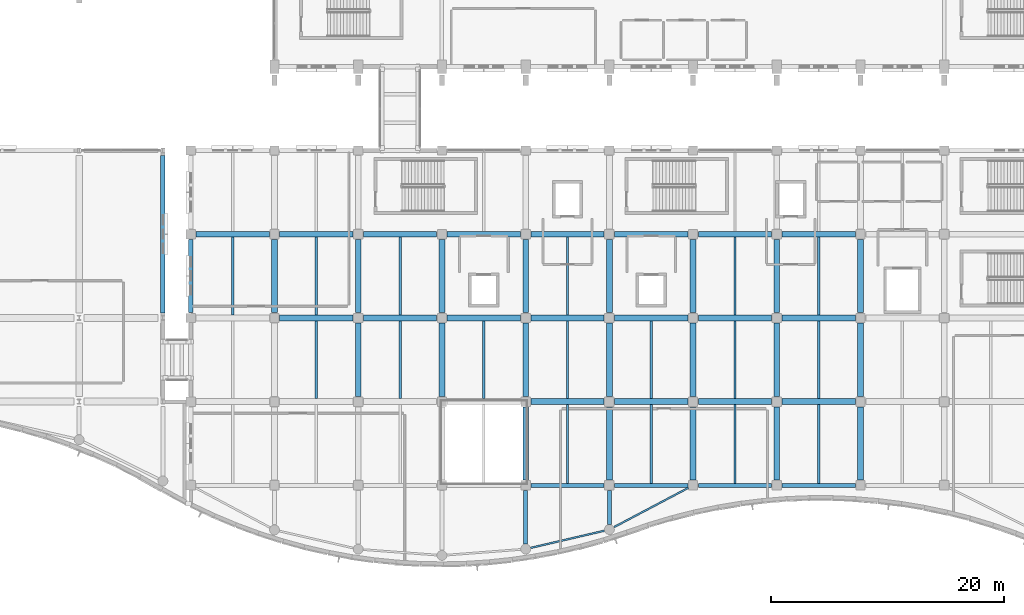
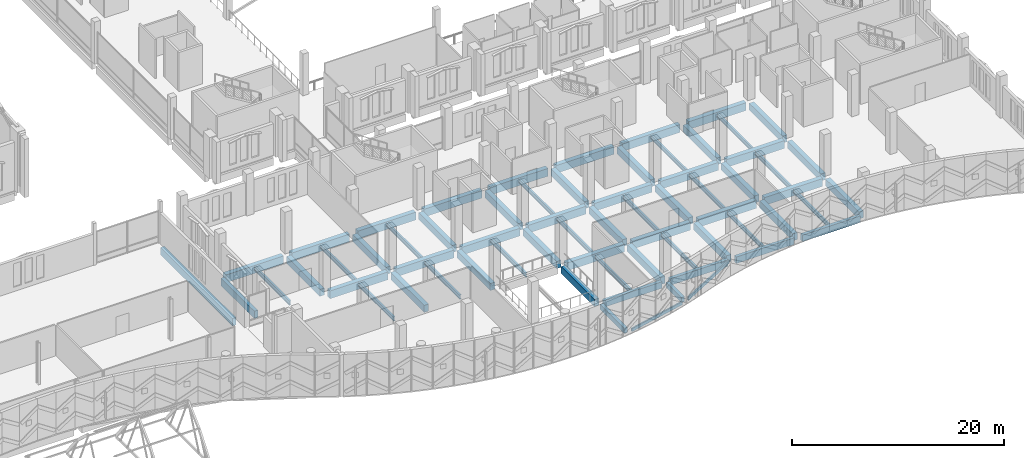
# One storey, part 83 of 220: 66 beams.
"""IFC4 building model written with IfcOpenShell, lengths in metres."""

from ifc_helpers import new_model, si_unit, direction, frame, origin, origin_2d, place, context, subcontext, project, spatial, rectangle, hollow_rectangle, i_section, extrude, material, material_profile, profile_set, type_object, element, save


model = new_model("IFC4")

# Units and contexts
model_context = context("Model", 3, precision=1e-05, world=origin(), true_north=direction((0.0, 1.0)))
body_context = subcontext(model_context, "Body", "Model", "MODEL_VIEW")
ifc_project = project(units=[si_unit("LENGTHUNIT", "METRE"), si_unit("AREAUNIT", "SQUARE_METRE"), si_unit("VOLUMEUNIT", "CUBIC_METRE"), si_unit("PLANEANGLEUNIT", "RADIAN"), si_unit("MASSUNIT", "GRAM", prefix="KILO")], contexts=[model_context])

# Site, building, storey
site_placement = place(None, origin())
site = spatial("IfcSite", under=ifc_project, at=site_placement, CompositionType="ELEMENT")
building_placement = place(site_placement, origin())
building = spatial("IfcBuilding", under=site, at=building_placement, Name="Cendralis Lancet Convention Centre", CompositionType="ELEMENT")
storey_placement = place(building_placement, frame((0.0, 0.0, 5.39990234375)))
storey = spatial("IfcBuildingStorey", under=building, at=storey_placement, Name="L01", CompositionType="ELEMENT", Elevation=5.39990234375)

# Beams
ifc_material_1 = material(Name="Concrete G35 (C35/45)", Category="concrete")
ifc_material_profile_1 = material_profile(ifc_material_1, rectangle(XDim=0.5, YDim=0.89990234375, at=origin_2d()), Name="RCB 500x900")
ifc_profile_set_1 = profile_set([ifc_material_profile_1], Name="Concrete G35 (C35/45)")
beam_type_1 = type_object("IfcBeamType", Name="STR-BM-BG07", PredefinedType="BEAM", material=ifc_profile_set_1)
for number, where, z_axis, x_axis, name in (
    (1, (161.25, 14.39990234375, -0.72998046875), (1.0, 0.0, 0.0), (0.0, 1.0, 0.0), "L01 Beam BG07 #0141"),
    (2, (168.449951171875, 14.39990234375, -0.72998046875), (1.0, 0.0, 0.0), (0.0, 1.0, 0.0), "L01 Beam BG07 #0142"),
    (3, (175.64990234375, 14.39990234375, -0.72998046875), (1.0, 0.0, 0.0), (0.0, 1.0, 0.0), "L01 Beam BG07 #0143"),
):
    element("IfcBeam", number, at=place(storey_placement, frame(where, z_axis=z_axis, x_axis=x_axis)), inside=storey, type_object=beam_type_1, Name=name, PredefinedType="BEAM", context=body_context, shape_type="SweptSolid", body=[
        extrude(rectangle(XDim=0.5, YDim=0.89990234375, at=origin_2d()), origin(), (0.0, 0.0, 1.0), 6.300048828125),
    ])
beam_1_placement = place(storey_placement, frame((182.85009765625, 14.39990234375, -0.72998046875), z_axis=(1.0, 0.0, 0.0), x_axis=(0.0, 1.0, 0.0)))
element("IfcBeam", 4, at=beam_1_placement, inside=storey, type_object=beam_type_1, Name="L01 Beam BG07 #0144", PredefinedType="BEAM", context=body_context, shape_type="SweptSolid", body=[
    extrude(rectangle(XDim=0.5, YDim=0.89990234375, at=origin_2d()), origin(), (0.0, 0.0, 1.0), 6.2998046875),
])
beam_2_placement = place(storey_placement, frame((139.64990234375, 21.60009765625, -0.72998046875), z_axis=(1.0, 0.0, 0.0), x_axis=(0.0, 1.0, 0.0)))
element("IfcBeam", 5, at=beam_2_placement, inside=storey, type_object=beam_type_1, Name="L01 Beam BG07 #0148", PredefinedType="BEAM", context=body_context, shape_type="SweptSolid", body=[
    extrude(rectangle(XDim=0.5, YDim=0.89990234375, at=origin_2d()), origin(), (0.0, 0.0, 1.0), 6.300048828125),
])
beam_3_placement = place(storey_placement, frame((146.85009765625, 21.60009765625, -0.72998046875), z_axis=(1.0, 0.0, 0.0), x_axis=(0.0, 1.0, 0.0)))
element("IfcBeam", 6, at=beam_3_placement, inside=storey, type_object=beam_type_1, Name="L01 Beam BG07 #0149", PredefinedType="BEAM", context=body_context, shape_type="SweptSolid", body=[
    extrude(rectangle(XDim=0.5, YDim=0.89990234375, at=origin_2d()), origin(), (0.0, 0.0, 1.0), 6.2998046875),
])
for number, where, z_axis, x_axis, name in (
    (7, (154.050048828125, 21.60009765625, -0.72998046875), (1.0, 0.0, 0.0), (0.0, 1.0, 0.0), "L01 Beam BG07 #0150"),
    (8, (161.25, 21.60009765625, -0.72998046875), (1.0, 0.0, 0.0), (0.0, 1.0, 0.0), "L01 Beam BG07 #0151"),
    (9, (168.449951171875, 21.60009765625, -0.72998046875), (1.0, 0.0, 0.0), (0.0, 1.0, 0.0), "L01 Beam BG07 #0152"),
    (10, (175.64990234375, 21.60009765625, -0.72998046875), (1.0, 0.0, 0.0), (0.0, 1.0, 0.0), "L01 Beam BG07 #0153"),
):
    element("IfcBeam", number, at=place(storey_placement, frame(where, z_axis=z_axis, x_axis=x_axis)), inside=storey, type_object=beam_type_1, Name=name, PredefinedType="BEAM", context=body_context, shape_type="SweptSolid", body=[
        extrude(rectangle(XDim=0.5, YDim=0.89990234375, at=origin_2d()), origin(), (0.0, 0.0, 1.0), 6.300048828125),
    ])
beam_4_placement = place(storey_placement, frame((182.85009765625, 21.60009765625, -0.72998046875), z_axis=(1.0, 0.0, 0.0), x_axis=(0.0, 1.0, 0.0)))
element("IfcBeam", 11, at=beam_4_placement, inside=storey, type_object=beam_type_1, Name="L01 Beam BG07 #0154", PredefinedType="BEAM", context=body_context, shape_type="SweptSolid", body=[
    extrude(rectangle(XDim=0.5, YDim=0.89990234375, at=origin_2d()), origin(), (0.0, 0.0, 1.0), 6.2998046875),
])
for number, where, z_axis, x_axis, name in (
    (12, (132.449951171875, 28.800048828125, -0.72998046875), (1.0, 0.0, 0.0), (0.0, 1.0, 0.0), "L01 Beam BG07 #0157"),
    (13, (139.64990234375, 28.800048828125, -0.72998046875), (1.0, 0.0, 0.0), (0.0, 1.0, 0.0), "L01 Beam BG07 #0158"),
):
    element("IfcBeam", number, at=place(storey_placement, frame(where, z_axis=z_axis, x_axis=x_axis)), inside=storey, type_object=beam_type_1, Name=name, PredefinedType="BEAM", context=body_context, shape_type="SweptSolid", body=[
        extrude(rectangle(XDim=0.5, YDim=0.89990234375, at=origin_2d()), origin(), (0.0, 0.0, 1.0), 6.300048828125),
    ])
beam_5_placement = place(storey_placement, frame((146.85009765625, 28.800048828125, -0.72998046875), z_axis=(1.0, 0.0, 0.0), x_axis=(0.0, 1.0, 0.0)))
element("IfcBeam", 14, at=beam_5_placement, inside=storey, type_object=beam_type_1, Name="L01 Beam BG07 #0159", PredefinedType="BEAM", context=body_context, shape_type="SweptSolid", body=[
    extrude(rectangle(XDim=0.5, YDim=0.89990234375, at=origin_2d()), origin(), (0.0, 0.0, 1.0), 6.2998046875),
])
for number, where, z_axis, x_axis, name in (
    (15, (154.050048828125, 28.800048828125, -0.72998046875), (1.0, 0.0, 0.0), (0.0, 1.0, 0.0), "L01 Beam BG07 #0160"),
    (16, (161.25, 28.800048828125, -0.72998046875), (1.0, 0.0, 0.0), (0.0, 1.0, 0.0), "L01 Beam BG07 #0161"),
    (17, (168.449951171875, 28.800048828125, -0.72998046875), (1.0, 0.0, 0.0), (0.0, 1.0, 0.0), "L01 Beam BG07 #0162"),
    (18, (175.64990234375, 28.800048828125, -0.72998046875), (1.0, 0.0, 0.0), (0.0, 1.0, 0.0), "L01 Beam BG07 #0163"),
):
    element("IfcBeam", number, at=place(storey_placement, frame(where, z_axis=z_axis, x_axis=x_axis)), inside=storey, type_object=beam_type_1, Name=name, PredefinedType="BEAM", context=body_context, shape_type="SweptSolid", body=[
        extrude(rectangle(XDim=0.5, YDim=0.89990234375, at=origin_2d()), origin(), (0.0, 0.0, 1.0), 6.300048828125),
    ])
beam_6_placement = place(storey_placement, frame((182.85009765625, 28.800048828125, -0.72998046875), z_axis=(1.0, 0.0, 0.0), x_axis=(0.0, 1.0, 0.0)))
element("IfcBeam", 19, at=beam_6_placement, inside=storey, type_object=beam_type_1, Name="L01 Beam BG07 #0164", PredefinedType="BEAM", context=body_context, shape_type="SweptSolid", body=[
    extrude(rectangle(XDim=0.5, YDim=0.89990234375, at=origin_2d()), origin(), (0.0, 0.0, 1.0), 6.2998046875),
])
ifc_material_profile_2 = material_profile(ifc_material_1, rectangle(XDim=0.5, YDim=0.800048828125, at=origin_2d()), Name="RCB 500x800")
ifc_profile_set_2 = profile_set([ifc_material_profile_2], Name="Concrete G35 (C35/45)")
beam_type_2 = type_object("IfcBeamType", Name="STR-BM-BG09", PredefinedType="BEAM", material=ifc_profile_set_2)
beam_7_placement = place(storey_placement, frame((139.199951171875, 22.050048828125, -0.679931640625), z_axis=(0.0, 1.0, 0.0), x_axis=(-1.0, 0.0, 0.0)))
element("IfcBeam", 20, at=beam_7_placement, inside=storey, type_object=beam_type_2, Name="L01 Beam BG09 #0183", PredefinedType="BEAM", context=body_context, shape_type="SweptSolid", body=[
    extrude(rectangle(XDim=0.5, YDim=0.800048828125, at=origin_2d()), origin(), (0.0, 0.0, 1.0), 6.300048828125),
])
beam_8_placement = place(storey_placement, frame((146.39990234375, 14.85009765625, -0.679931640625), z_axis=(0.0, 1.0, 0.0), x_axis=(-1.0, 0.0, 0.0)))
element("IfcBeam", 21, at=beam_8_placement, inside=storey, type_object=beam_type_2, Name="L01 Beam BG09 #0186", PredefinedType="BEAM", context=body_context, shape_type="SweptSolid", body=[
    extrude(rectangle(XDim=0.5, YDim=0.800048828125, at=origin_2d()), origin(), (0.0, 0.0, 1.0), 6.2998046875),
])
beam_9_placement = place(storey_placement, frame((146.39990234375, 22.050048828125, -0.679931640625), z_axis=(0.0, 1.0, 0.0), x_axis=(-1.0, 0.0, 0.0)))
element("IfcBeam", 22, at=beam_9_placement, inside=storey, type_object=beam_type_2, Name="L01 Beam BG09 #0187", PredefinedType="BEAM", context=body_context, shape_type="SweptSolid", body=[
    extrude(rectangle(XDim=0.5, YDim=0.800048828125, at=origin_2d()), origin(), (0.0, 0.0, 1.0), 6.300048828125),
])
beam_10_placement = place(storey_placement, frame((153.60009765625, 14.85009765625, -0.679931640625), z_axis=(0.0, 1.0, 0.0), x_axis=(-1.0, 0.0, 0.0)))
element("IfcBeam", 23, at=beam_10_placement, inside=storey, type_object=beam_type_2, Name="L01 Beam BG09 #0190", PredefinedType="BEAM", context=body_context, shape_type="SweptSolid", body=[
    extrude(rectangle(XDim=0.5, YDim=0.800048828125, at=origin_2d()), origin(), (0.0, 0.0, 1.0), 6.2998046875),
])
for number, where, z_axis, x_axis, name in (
    (24, (153.60009765625, 22.050048828125, -0.679931640625), (0.0, 1.0, 0.0), (-1.0, 0.0, 0.0), "L01 Beam BG09 #0191"),
    (25, (160.800048828125, 7.64990234375, -0.679931640625), (0.0, 1.0, 0.0), (-1.0, 0.0, 0.0), "L01 Beam BG09 #0192"),
):
    element("IfcBeam", number, at=place(storey_placement, frame(where, z_axis=z_axis, x_axis=x_axis)), inside=storey, type_object=beam_type_2, Name=name, PredefinedType="BEAM", context=body_context, shape_type="SweptSolid", body=[
        extrude(rectangle(XDim=0.5, YDim=0.800048828125, at=origin_2d()), origin(), (0.0, 0.0, 1.0), 6.300048828125),
    ])
beam_11_placement = place(storey_placement, frame((160.800048828125, 14.85009765625, -0.679931640625), z_axis=(0.0, 1.0, 0.0), x_axis=(-1.0, 0.0, 0.0)))
element("IfcBeam", 26, at=beam_11_placement, inside=storey, type_object=beam_type_2, Name="L01 Beam BG09 #0193", PredefinedType="BEAM", context=body_context, shape_type="SweptSolid", body=[
    extrude(rectangle(XDim=0.5, YDim=0.800048828125, at=origin_2d()), origin(), (0.0, 0.0, 1.0), 6.2998046875),
])
for number, where, z_axis, x_axis, name in (
    (27, (160.800048828125, 22.050048828125, -0.679931640625), (0.0, 1.0, 0.0), (-1.0, 0.0, 0.0), "L01 Beam BG09 #0194"),
    (28, (168.0, 7.64990234375, -0.679931640625), (0.0, 1.0, 0.0), (-1.0, 0.0, 0.0), "L01 Beam BG09 #0196"),
):
    element("IfcBeam", number, at=place(storey_placement, frame(where, z_axis=z_axis, x_axis=x_axis)), inside=storey, type_object=beam_type_2, Name=name, PredefinedType="BEAM", context=body_context, shape_type="SweptSolid", body=[
        extrude(rectangle(XDim=0.5, YDim=0.800048828125, at=origin_2d()), origin(), (0.0, 0.0, 1.0), 6.300048828125),
    ])
beam_12_placement = place(storey_placement, frame((168.0, 14.85009765625, -0.679931640625), z_axis=(0.0, 1.0, 0.0), x_axis=(-1.0, 0.0, 0.0)))
element("IfcBeam", 29, at=beam_12_placement, inside=storey, type_object=beam_type_2, Name="L01 Beam BG09 #0197", PredefinedType="BEAM", context=body_context, shape_type="SweptSolid", body=[
    extrude(rectangle(XDim=0.5, YDim=0.800048828125, at=origin_2d()), origin(), (0.0, 0.0, 1.0), 6.2998046875),
])
for number, where, z_axis, x_axis, name in (
    (30, (168.0, 22.050048828125, -0.679931640625), (0.0, 1.0, 0.0), (-1.0, 0.0, 0.0), "L01 Beam BG09 #0198"),
    (31, (175.199951171875, 7.64990234375, -0.679931640625), (0.0, 1.0, 0.0), (-1.0, 0.0, 0.0), "L01 Beam BG09 #0200"),
):
    element("IfcBeam", number, at=place(storey_placement, frame(where, z_axis=z_axis, x_axis=x_axis)), inside=storey, type_object=beam_type_2, Name=name, PredefinedType="BEAM", context=body_context, shape_type="SweptSolid", body=[
        extrude(rectangle(XDim=0.5, YDim=0.800048828125, at=origin_2d()), origin(), (0.0, 0.0, 1.0), 6.300048828125),
    ])
beam_13_placement = place(storey_placement, frame((175.199951171875, 14.85009765625, -0.679931640625), z_axis=(0.0, 1.0, 0.0), x_axis=(-1.0, 0.0, 0.0)))
element("IfcBeam", 32, at=beam_13_placement, inside=storey, type_object=beam_type_2, Name="L01 Beam BG09 #0201", PredefinedType="BEAM", context=body_context, shape_type="SweptSolid", body=[
    extrude(rectangle(XDim=0.5, YDim=0.800048828125, at=origin_2d()), origin(), (0.0, 0.0, 1.0), 6.2998046875),
])
for number, where, z_axis, x_axis, name in (
    (33, (175.199951171875, 22.050048828125, -0.679931640625), (0.0, 1.0, 0.0), (-1.0, 0.0, 0.0), "L01 Beam BG09 #0202"),
    (34, (182.39990234375, 7.64990234375, -0.679931640625), (0.0, 1.0, 0.0), (-1.0, 0.0, 0.0), "L01 Beam BG09 #0203"),
):
    element("IfcBeam", number, at=place(storey_placement, frame(where, z_axis=z_axis, x_axis=x_axis)), inside=storey, type_object=beam_type_2, Name=name, PredefinedType="BEAM", context=body_context, shape_type="SweptSolid", body=[
        extrude(rectangle(XDim=0.5, YDim=0.800048828125, at=origin_2d()), origin(), (0.0, 0.0, 1.0), 6.300048828125),
    ])
beam_14_placement = place(storey_placement, frame((182.39990234375, 14.85009765625, -0.679931640625), z_axis=(0.0, 1.0, 0.0), x_axis=(-1.0, 0.0, 0.0)))
element("IfcBeam", 35, at=beam_14_placement, inside=storey, type_object=beam_type_2, Name="L01 Beam BG09 #0204", PredefinedType="BEAM", context=body_context, shape_type="SweptSolid", body=[
    extrude(rectangle(XDim=0.5, YDim=0.800048828125, at=origin_2d()), origin(), (0.0, 0.0, 1.0), 6.2998046875),
])
for number, where, z_axis, x_axis, name in (
    (36, (182.39990234375, 22.050048828125, -0.679931640625), (0.0, 1.0, 0.0), (-1.0, 0.0, 0.0), "L01 Beam BG09 #0205"),
    (37, (189.60009765625, 7.64990234375, -0.679931640625), (0.0, 1.0, 0.0), (-1.0, 0.0, 0.0), "L01 Beam BG09 #0207"),
):
    element("IfcBeam", number, at=place(storey_placement, frame(where, z_axis=z_axis, x_axis=x_axis)), inside=storey, type_object=beam_type_2, Name=name, PredefinedType="BEAM", context=body_context, shape_type="SweptSolid", body=[
        extrude(rectangle(XDim=0.5, YDim=0.800048828125, at=origin_2d()), origin(), (0.0, 0.0, 1.0), 6.300048828125),
    ])
beam_15_placement = place(storey_placement, frame((189.60009765625, 14.85009765625, -0.679931640625), z_axis=(0.0, 1.0, 0.0), x_axis=(-1.0, 0.0, 0.0)))
element("IfcBeam", 38, at=beam_15_placement, inside=storey, type_object=beam_type_2, Name="L01 Beam BG09 #0208", PredefinedType="BEAM", context=body_context, shape_type="SweptSolid", body=[
    extrude(rectangle(XDim=0.5, YDim=0.800048828125, at=origin_2d()), origin(), (0.0, 0.0, 1.0), 6.2998046875),
])
beam_16_placement = place(storey_placement, frame((189.60009765625, 22.050048828125, -0.679931640625), z_axis=(0.0, 1.0, 0.0), x_axis=(-1.0, 0.0, 0.0)))
element("IfcBeam", 39, at=beam_16_placement, inside=storey, type_object=beam_type_2, Name="L01 Beam BG09 #0209", PredefinedType="BEAM", context=body_context, shape_type="SweptSolid", body=[
    extrude(rectangle(XDim=0.5, YDim=0.800048828125, at=origin_2d()), origin(), (0.0, 0.0, 1.0), 6.300048828125),
])
ifc_material_profile_3 = material_profile(ifc_material_1, rectangle(XDim=0.35009765625, YDim=0.60009765625, at=origin_2d()), Name="RCB 350x600")
ifc_profile_set_3 = profile_set([ifc_material_profile_3], Name="Concrete G35 (C35/45)")
beam_type_3 = type_object("IfcBeamType", Name="STR-BM-BG16", PredefinedType="BEAM", material=ifc_profile_set_3)
beam_17_placement = place(storey_placement, frame((160.800048828125, 2.17041015625, -0.579833984375), z_axis=(0.0, 1.0, 0.0), x_axis=(-1.0, 0.0, 0.0)))
element("IfcBeam", 40, at=beam_17_placement, inside=storey, type_object=beam_type_3, Name="L01 Beam BG16 #1056", PredefinedType="BEAM", context=body_context, shape_type="SweptSolid", body=[
    extrude(rectangle(XDim=0.35009765625, YDim=0.60009765625, at=origin_2d()), origin(), (0.0, 0.0, 1.0), 4.57958984375),
])
beam_18_placement = place(storey_placement, frame((168.0, 3.84619140625, -0.579833984375), z_axis=(0.0, 1.0, 0.0), x_axis=(-1.0, 0.0, 0.0)))
element("IfcBeam", 41, at=beam_18_placement, inside=storey, type_object=beam_type_3, Name="L01 Beam BG16 #1057", PredefinedType="BEAM", context=body_context, shape_type="SweptSolid", body=[
    extrude(rectangle(XDim=0.35009765625, YDim=0.60009765625, at=origin_2d()), origin(), (0.0, 0.0, 1.0), 2.90380859375),
])
ifc_material_2 = material(Name="Steel S355", Category="steel")
ifc_material_profile_4 = material_profile(ifc_material_2, i_section(OverallWidth=0.199951171875, OverallDepth=0.5, WebThickness=0.01025390625, FlangeThickness=0.01611328125, FilletRadius=0.02099609375, at=origin_2d()), Name="IPE 500")
ifc_profile_set_4 = profile_set([ifc_material_profile_4], Name="Steel S355")
beam_type_4 = type_object("IfcBeamType", Name="STR-JS-BJ06", PredefinedType="JOIST", material=ifc_profile_set_4)
beam_19_placement = place(storey_placement, frame((135.60009765625, 21.85009765625, -0.52978515625), z_axis=(0.0, 1.0, 0.0), x_axis=(-1.0, 0.0, 0.0)))
element("IfcBeam", 42, at=beam_19_placement, inside=storey, type_object=beam_type_4, Name="L01 Beam BJ06 #0221", PredefinedType="JOIST", context=body_context, shape_type="SweptSolid", body=[
    extrude(i_section(OverallWidth=0.199951171875, OverallDepth=0.5, WebThickness=0.01025390625, FlangeThickness=0.01611328125, FilletRadius=0.02099609375, at=origin_2d()), origin(), (0.0, 0.0, 1.0), 6.699951171875),
])
beam_20_placement = place(storey_placement, frame((142.800048828125, 14.64990234375, -0.52978515625), z_axis=(0.0, 1.0, 0.0), x_axis=(-1.0, 0.0, 0.0)))
element("IfcBeam", 43, at=beam_20_placement, inside=storey, type_object=beam_type_4, Name="L01 Beam BJ06 #0224", PredefinedType="JOIST", context=body_context, shape_type="SweptSolid", body=[
    extrude(i_section(OverallWidth=0.199951171875, OverallDepth=0.5, WebThickness=0.01025390625, FlangeThickness=0.01611328125, FilletRadius=0.02099609375, at=origin_2d()), origin(), (0.0, 0.0, 1.0), 6.7001953125),
])
beam_21_placement = place(storey_placement, frame((142.800048828125, 21.85009765625, -0.52978515625), z_axis=(0.0, 1.0, 0.0), x_axis=(-1.0, 0.0, 0.0)))
element("IfcBeam", 44, at=beam_21_placement, inside=storey, type_object=beam_type_4, Name="L01 Beam BJ06 #0225", PredefinedType="JOIST", context=body_context, shape_type="SweptSolid", body=[
    extrude(i_section(OverallWidth=0.199951171875, OverallDepth=0.5, WebThickness=0.01025390625, FlangeThickness=0.01611328125, FilletRadius=0.02099609375, at=origin_2d()), origin(), (0.0, 0.0, 1.0), 6.699951171875),
])
beam_22_placement = place(storey_placement, frame((150.0, 14.64990234375, -0.52978515625), z_axis=(0.0, 1.0, 0.0), x_axis=(-1.0, 0.0, 0.0)))
element("IfcBeam", 45, at=beam_22_placement, inside=storey, type_object=beam_type_4, Name="L01 Beam BJ06 #0228", PredefinedType="JOIST", context=body_context, shape_type="SweptSolid", body=[
    extrude(i_section(OverallWidth=0.199951171875, OverallDepth=0.5, WebThickness=0.01025390625, FlangeThickness=0.01611328125, FilletRadius=0.02099609375, at=origin_2d()), origin(), (0.0, 0.0, 1.0), 6.7001953125),
])
beam_23_placement = place(storey_placement, frame((150.0, 21.85009765625, -0.52978515625), z_axis=(0.0, 1.0, 0.0), x_axis=(-1.0, 0.0, 0.0)))
element("IfcBeam", 46, at=beam_23_placement, inside=storey, type_object=beam_type_4, Name="L01 Beam BJ06 #0229", PredefinedType="JOIST", context=body_context, shape_type="SweptSolid", body=[
    extrude(i_section(OverallWidth=0.199951171875, OverallDepth=0.5, WebThickness=0.01025390625, FlangeThickness=0.01611328125, FilletRadius=0.02099609375, at=origin_2d()), origin(), (0.0, 0.0, 1.0), 6.699951171875),
])
beam_24_placement = place(storey_placement, frame((157.199951171875, 14.64990234375, -0.52978515625), z_axis=(0.0, 1.0, 0.0), x_axis=(-1.0, 0.0, 0.0)))
element("IfcBeam", 47, at=beam_24_placement, inside=storey, type_object=beam_type_4, Name="L01 Beam BJ06 #0231", PredefinedType="JOIST", context=body_context, shape_type="SweptSolid", body=[
    extrude(i_section(OverallWidth=0.199951171875, OverallDepth=0.5, WebThickness=0.01025390625, FlangeThickness=0.01611328125, FilletRadius=0.02099609375, at=origin_2d()), origin(), (0.0, 0.0, 1.0), 6.7001953125),
])
beam_25_placement = place(storey_placement, frame((164.39990234375, 7.375, -0.52978515625), z_axis=(0.0, 1.0, 0.0), x_axis=(-1.0, 0.0, 0.0)))
element("IfcBeam", 48, at=beam_25_placement, inside=storey, type_object=beam_type_4, Name="L01 Beam BJ06 #0233", PredefinedType="JOIST", context=body_context, shape_type="SweptSolid", body=[
    extrude(i_section(OverallWidth=0.199951171875, OverallDepth=0.5, WebThickness=0.01025390625, FlangeThickness=0.01611328125, FilletRadius=0.02099609375, at=origin_2d()), origin(), (0.0, 0.0, 1.0), 6.77490234375),
])
beam_26_placement = place(storey_placement, frame((164.39990234375, 14.64990234375, -0.52978515625), z_axis=(0.0, 1.0, 0.0), x_axis=(-1.0, 0.0, 0.0)))
element("IfcBeam", 49, at=beam_26_placement, inside=storey, type_object=beam_type_4, Name="L01 Beam BJ06 #0234", PredefinedType="JOIST", context=body_context, shape_type="SweptSolid", body=[
    extrude(i_section(OverallWidth=0.199951171875, OverallDepth=0.5, WebThickness=0.01025390625, FlangeThickness=0.01611328125, FilletRadius=0.02099609375, at=origin_2d()), origin(), (0.0, 0.0, 1.0), 6.7001953125),
])
beam_27_placement = place(storey_placement, frame((164.39990234375, 21.85009765625, -0.52978515625), z_axis=(0.0, 1.0, 0.0), x_axis=(-1.0, 0.0, 0.0)))
element("IfcBeam", 50, at=beam_27_placement, inside=storey, type_object=beam_type_4, Name="L01 Beam BJ06 #0235", PredefinedType="JOIST", context=body_context, shape_type="SweptSolid", body=[
    extrude(i_section(OverallWidth=0.199951171875, OverallDepth=0.5, WebThickness=0.01025390625, FlangeThickness=0.01611328125, FilletRadius=0.02099609375, at=origin_2d()), origin(), (0.0, 0.0, 1.0), 6.699951171875),
])
beam_28_placement = place(storey_placement, frame((171.60009765625, 7.375, -0.52978515625), z_axis=(0.0, 1.0, 0.0), x_axis=(-1.0, 0.0, 0.0)))
element("IfcBeam", 51, at=beam_28_placement, inside=storey, type_object=beam_type_4, Name="L01 Beam BJ06 #0236", PredefinedType="JOIST", context=body_context, shape_type="SweptSolid", body=[
    extrude(i_section(OverallWidth=0.199951171875, OverallDepth=0.5, WebThickness=0.01025390625, FlangeThickness=0.01611328125, FilletRadius=0.02099609375, at=origin_2d()), origin(), (0.0, 0.0, 1.0), 6.77490234375),
])
beam_29_placement = place(storey_placement, frame((171.60009765625, 14.64990234375, -0.52978515625), z_axis=(0.0, 1.0, 0.0), x_axis=(-1.0, 0.0, 0.0)))
element("IfcBeam", 52, at=beam_29_placement, inside=storey, type_object=beam_type_4, Name="L01 Beam BJ06 #0237", PredefinedType="JOIST", context=body_context, shape_type="SweptSolid", body=[
    extrude(i_section(OverallWidth=0.199951171875, OverallDepth=0.5, WebThickness=0.01025390625, FlangeThickness=0.01611328125, FilletRadius=0.02099609375, at=origin_2d()), origin(), (0.0, 0.0, 1.0), 6.7001953125),
])
beam_30_placement = place(storey_placement, frame((178.800048828125, 7.375, -0.52978515625), z_axis=(0.0, 1.0, 0.0), x_axis=(-1.0, 0.0, 0.0)))
element("IfcBeam", 53, at=beam_30_placement, inside=storey, type_object=beam_type_4, Name="L01 Beam BJ06 #0238", PredefinedType="JOIST", context=body_context, shape_type="SweptSolid", body=[
    extrude(i_section(OverallWidth=0.199951171875, OverallDepth=0.5, WebThickness=0.01025390625, FlangeThickness=0.01611328125, FilletRadius=0.02099609375, at=origin_2d()), origin(), (0.0, 0.0, 1.0), 6.77490234375),
])
beam_31_placement = place(storey_placement, frame((178.800048828125, 14.64990234375, -0.52978515625), z_axis=(0.0, 1.0, 0.0), x_axis=(-1.0, 0.0, 0.0)))
element("IfcBeam", 54, at=beam_31_placement, inside=storey, type_object=beam_type_4, Name="L01 Beam BJ06 #0239", PredefinedType="JOIST", context=body_context, shape_type="SweptSolid", body=[
    extrude(i_section(OverallWidth=0.199951171875, OverallDepth=0.5, WebThickness=0.01025390625, FlangeThickness=0.01611328125, FilletRadius=0.02099609375, at=origin_2d()), origin(), (0.0, 0.0, 1.0), 6.7001953125),
])
beam_32_placement = place(storey_placement, frame((178.800048828125, 21.85009765625, -0.52978515625), z_axis=(0.0, 1.0, 0.0), x_axis=(-1.0, 0.0, 0.0)))
element("IfcBeam", 55, at=beam_32_placement, inside=storey, type_object=beam_type_4, Name="L01 Beam BJ06 #0240", PredefinedType="JOIST", context=body_context, shape_type="SweptSolid", body=[
    extrude(i_section(OverallWidth=0.199951171875, OverallDepth=0.5, WebThickness=0.01025390625, FlangeThickness=0.01611328125, FilletRadius=0.02099609375, at=origin_2d()), origin(), (0.0, 0.0, 1.0), 6.699951171875),
])
beam_33_placement = place(storey_placement, frame((186.0, 7.375, -0.52978515625), z_axis=(0.0, 1.0, 0.0), x_axis=(-1.0, 0.0, 0.0)))
element("IfcBeam", 56, at=beam_33_placement, inside=storey, type_object=beam_type_4, Name="L01 Beam BJ06 #0242", PredefinedType="JOIST", context=body_context, shape_type="SweptSolid", body=[
    extrude(i_section(OverallWidth=0.199951171875, OverallDepth=0.5, WebThickness=0.01025390625, FlangeThickness=0.01611328125, FilletRadius=0.02099609375, at=origin_2d()), origin(), (0.0, 0.0, 1.0), 6.77490234375),
])
beam_34_placement = place(storey_placement, frame((186.0, 14.64990234375, -0.52978515625), z_axis=(0.0, 1.0, 0.0), x_axis=(-1.0, 0.0, 0.0)))
element("IfcBeam", 57, at=beam_34_placement, inside=storey, type_object=beam_type_4, Name="L01 Beam BJ06 #0243", PredefinedType="JOIST", context=body_context, shape_type="SweptSolid", body=[
    extrude(i_section(OverallWidth=0.199951171875, OverallDepth=0.5, WebThickness=0.01025390625, FlangeThickness=0.01611328125, FilletRadius=0.02099609375, at=origin_2d()), origin(), (0.0, 0.0, 1.0), 6.7001953125),
])
beam_35_placement = place(storey_placement, frame((186.0, 21.85009765625, -0.52978515625), z_axis=(0.0, 1.0, 0.0), x_axis=(-1.0, 0.0, 0.0)))
element("IfcBeam", 58, at=beam_35_placement, inside=storey, type_object=beam_type_4, Name="L01 Beam BJ06 #0244", PredefinedType="JOIST", context=body_context, shape_type="SweptSolid", body=[
    extrude(i_section(OverallWidth=0.199951171875, OverallDepth=0.5, WebThickness=0.01025390625, FlangeThickness=0.01611328125, FilletRadius=0.02099609375, at=origin_2d()), origin(), (0.0, 0.0, 1.0), 6.699951171875),
])
ifc_material_3 = material(Name="Concrete G40 (C40/50)", Category="concrete")
ifc_material_profile_5 = material_profile(ifc_material_3, rectangle(XDim=0.35009765625, YDim=0.75, at=origin_2d()), Name="RCB 350x750")
ifc_profile_set_5 = profile_set([ifc_material_profile_5], Name="Concrete G40 (C40/50)")
beam_type_5 = type_object("IfcBeamType", Name="STR-SP-SP01", PredefinedType="SPANDREL", material=ifc_profile_set_5)
for number, where, z_axis, x_axis, name in (
    (59, (161.25, 7.199951171875, -0.65478515625), (1.0, 0.0, 0.0), (0.0, 1.0, 0.0), "L01 Beam SP01 #0131"),
    (60, (168.449951171875, 7.199951171875, -0.65478515625), (1.0, 0.0, 0.0), (0.0, 1.0, 0.0), "L01 Beam SP01 #0132"),
    (61, (175.64990234375, 7.199951171875, -0.65478515625), (1.0, 0.0, 0.0), (0.0, 1.0, 0.0), "L01 Beam SP01 #0133"),
):
    element("IfcBeam", number, at=place(storey_placement, frame(where, z_axis=z_axis, x_axis=x_axis)), inside=storey, type_object=beam_type_5, Name=name, PredefinedType="SPANDREL", context=body_context, shape_type="SweptSolid", body=[
        extrude(rectangle(XDim=0.35009765625, YDim=0.75, at=origin_2d()), origin(), (0.0, 0.0, 1.0), 6.300048828125),
    ])
beam_36_placement = place(storey_placement, frame((182.85009765625, 7.199951171875, -0.65478515625), z_axis=(1.0, 0.0, 0.0), x_axis=(0.0, 1.0, 0.0)))
element("IfcBeam", 62, at=beam_36_placement, inside=storey, type_object=beam_type_5, Name="L01 Beam SP01 #0134", PredefinedType="SPANDREL", context=body_context, shape_type="SweptSolid", body=[
    extrude(rectangle(XDim=0.35009765625, YDim=0.75, at=origin_2d()), origin(), (0.0, 0.0, 1.0), 6.2998046875),
])
ifc_material_profile_6 = material_profile(ifc_material_3, rectangle(XDim=0.39990234375, YDim=0.85009765625, at=origin_2d()), Name="RCB 400x850")
ifc_profile_set_6 = profile_set([ifc_material_profile_6], Name="Concrete G40 (C40/50)")
beam_type_6 = type_object("IfcBeamType", Name="STR-SP-SP02", PredefinedType="SPANDREL", material=ifc_profile_set_6)
beam_37_placement = place(storey_placement, frame((132.0, 22.050048828125, -0.704833984375), z_axis=(0.0, 1.0, 0.0), x_axis=(-1.0, 0.0, 0.0)))
element("IfcBeam", 63, at=beam_37_placement, inside=storey, type_object=beam_type_6, Name="L01 Beam SP02 #0179", PredefinedType="SPANDREL", context=body_context, shape_type="SweptSolid", body=[
    extrude(rectangle(XDim=0.39990234375, YDim=0.85009765625, at=origin_2d()), origin(), (0.0, 0.0, 1.0), 6.300048828125),
])
beam_38_placement = place(storey_placement, frame((129.60009765625, 22.02490234375, -0.704833984375), z_axis=(0.0, 1.0, 0.0), x_axis=(-1.0, 0.0, 0.0)))
element("IfcBeam", 64, at=beam_38_placement, inside=storey, type_object=beam_type_6, Name="L01 Beam SP02 #0798", PredefinedType="SPANDREL", context=body_context, shape_type="SweptSolid", body=[
    extrude(rectangle(XDim=0.39990234375, YDim=0.85009765625, at=origin_2d()), origin(), (0.0, 0.0, 1.0), 13.550048828125),
])
ifc_material_profile_7 = material_profile(ifc_material_2, hollow_rectangle(XDim=0.14990234375, YDim=0.35009765625, WallThickness=0.012451171875, at=origin_2d()), Name="RHS 350x150x12.5")
ifc_profile_set_7 = profile_set([ifc_material_profile_7], Name="Steel S355")
beam_type_7 = type_object("IfcBeamType", Name="STR-SP-SP04", PredefinedType="SPANDREL", material=ifc_profile_set_7)
beam_39_placement = place(storey_placement, frame((161.23828125, 1.822509765625, -0.454833984375), z_axis=(0.973970583795, 0.226674440335, 0.0), x_axis=(-0.226674440335, 0.973970583795, 0.0)))
element("IfcBeam", 65, at=beam_39_placement, inside=storey, type_object=beam_type_7, Name="L01 Beam SP04 #1071", PredefinedType="SPANDREL", context=body_context, shape_type="SweptSolid", body=[
    extrude(hollow_rectangle(XDim=0.14990234375, YDim=0.35009765625, WallThickness=0.012451171875, at=origin_2d()), origin(), (0.0, 0.0, 1.0), 6.492431640625),
])
beam_40_placement = place(storey_placement, frame((168.39794921875, 3.6064453125, -0.454833984375), z_axis=(0.884191807969, 0.467124016425, 0.0), x_axis=(-0.467124016425, 0.884191807969, 0.0)))
element("IfcBeam", 66, at=beam_40_placement, inside=storey, type_object=beam_type_7, Name="L01 Beam SP04 #1072", PredefinedType="SPANDREL", context=body_context, shape_type="SweptSolid", body=[
    extrude(hollow_rectangle(XDim=0.14990234375, YDim=0.35009765625, WallThickness=0.012451171875, at=origin_2d()), origin(), (0.0, 0.0, 1.0), 7.242919921875),
])

save(model, "model.ifc")
